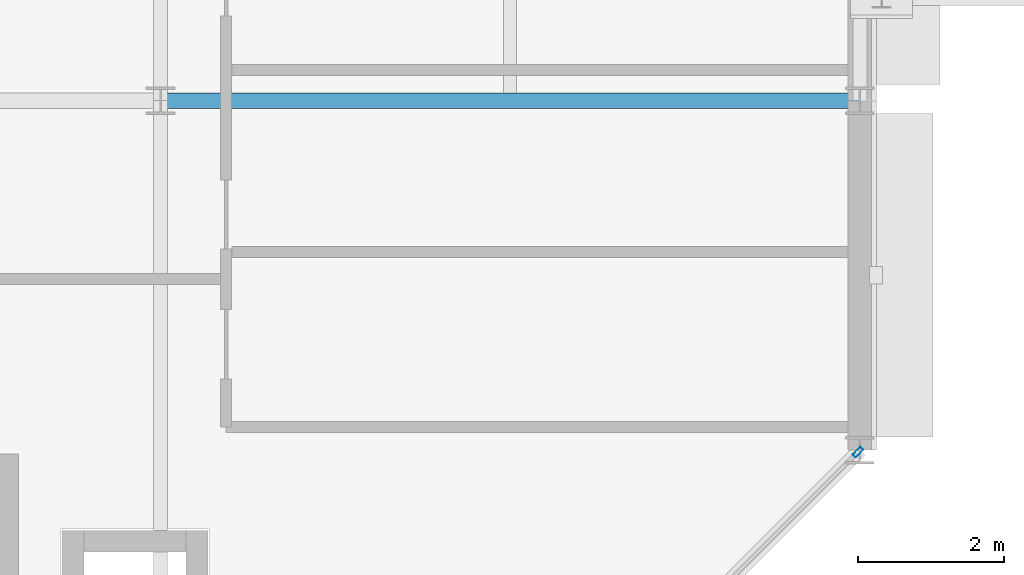
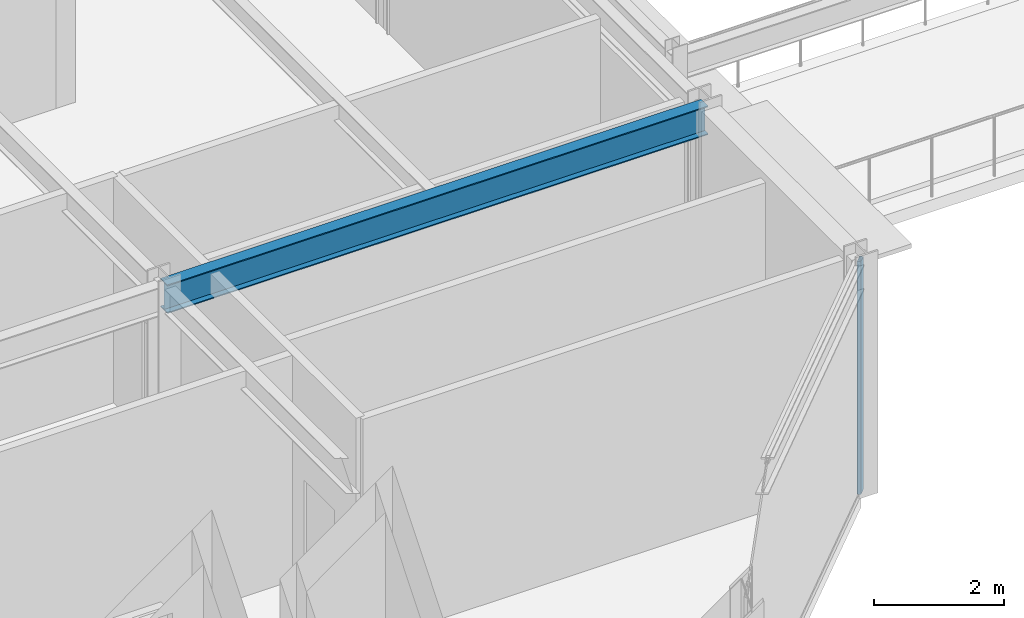
# One storey, part 56 of 157: 1 beam, 1 member, 1 element without a shape of its own.
"""IFC4 building model written with IfcOpenShell, lengths in metres."""

import ifcopenshell
import ifcopenshell.guid

model = None  # the IFC model being written
_history = None  # IfcOwnerHistory: only IFC2X3 demands one
_inside = {}  # id of a spatial element -> (the spatial element, [elements in it])
_under = {}  # id of a project, library or spatial element -> (it, [spatial elements below it])
_declared = {}  # id of a project -> (the project, [libraries it declares])
_typed = {}  # id of a type object -> (the type object, [elements of that type])
_made_of = {}  # id of a material, layer set ... -> (it, [elements and type objects made of it])


def new_model(schema):
    """Start an empty IFC model of exactly this schema.

    Asked for "IFC4X3", IfcOpenShell would pick the latest addendum, in which some entities
    have other attributes; the version numbers below select the first issue.
    IFC2X3 requires an IfcOwnerHistory on every rooted entity: one is made here for all.
    """
    global model, _history
    if schema == "IFC4X3":
        model = ifcopenshell.file(schema_version=(4, 3, 0, 0))
    else:
        model = ifcopenshell.file(schema=schema)
    _inside.clear()
    _under.clear()
    _declared.clear()
    _typed.clear()
    _made_of.clear()
    _history = None
    if model.schema == "IFC2X3":
        org = make("IfcOrganization", Name="unknown")
        user = make(
            "IfcPersonAndOrganization",
            ThePerson=make("IfcPerson", FamilyName="unknown"),
            TheOrganization=org,
        )
        app = make(
            "IfcApplication",
            ApplicationDeveloper=org,
            Version="unknown",
            ApplicationFullName="unknown",
            ApplicationIdentifier="unknown",
        )
        _history = make(
            "IfcOwnerHistory",
            OwningUser=user,
            OwningApplication=app,
            ChangeAction="ADDED",
            CreationDate=0,
        )
    return model


def make(cls, **values):
    """One entity of the class cls with the attributes given. An attribute that is None is left unset."""
    return model.create_entity(
        cls, **{name: value for name, value in values.items() if value is not None}
    )


def rooted(cls, **values):
    """An entity with a GlobalId (a new one), such as an element, a storey or a relation."""
    return make(cls, GlobalId=ifcopenshell.guid.new(), OwnerHistory=_history, **values)


def si_unit(unit_type, name, prefix=None):
    """IfcSIUnit, for example si_unit("LENGTHUNIT", "METRE", prefix="MILLI")."""
    return make("IfcSIUnit", UnitType=unit_type, Prefix=prefix, Name=name)


def assignment(units):
    """IfcUnitAssignment: the units of a project."""
    return None if units is None else make("IfcUnitAssignment", Units=units)


def point(xyz):
    """IfcCartesianPoint."""
    return None if xyz is None else make("IfcCartesianPoint", Coordinates=xyz)


def direction(xyz):
    """IfcDirection."""
    return None if xyz is None else make("IfcDirection", DirectionRatios=xyz)


def frame(location, z_axis=None, x_axis=None):
    """IfcAxis2Placement3D, a coordinate frame: its origin and axes. An axis left out is left unset."""
    return make(
        "IfcAxis2Placement3D",
        Location=point(location),
        Axis=direction(z_axis),
        RefDirection=direction(x_axis),
    )


def frame_2d(location, x_axis=None):
    """IfcAxis2Placement2D, a coordinate frame in the plane: its origin and x axis."""
    return make(
        "IfcAxis2Placement2D", Location=point(location), RefDirection=direction(x_axis)
    )


def origin():
    """The frame at (0, 0, 0) with its axes left unset."""
    return frame((0.0, 0.0, 0.0))


def origin_2d():
    """The frame at (0, 0) in the plane with its x axis left unset."""
    return frame_2d((0.0, 0.0))


def place(relative_to, where):
    """IfcLocalPlacement: puts the frame where relative to a parent placement (None: the world)."""
    return make(
        "IfcLocalPlacement", PlacementRelTo=relative_to, RelativePlacement=where
    )


def context(
    kind, dimensions, precision=None, world=None, true_north=None, identifier=None
):
    """IfcGeometricRepresentationContext, for example the 3D "Model" context."""
    return make(
        "IfcGeometricRepresentationContext",
        ContextIdentifier=identifier,
        ContextType=kind,
        CoordinateSpaceDimension=dimensions,
        Precision=precision,
        WorldCoordinateSystem=world,
        TrueNorth=true_north,
    )


def subcontext(parent, identifier, kind, view, scale=None):
    """IfcGeometricRepresentationSubContext, for example "Body" below "Model"."""
    return make(
        "IfcGeometricRepresentationSubContext",
        ContextIdentifier=identifier,
        ContextType=kind,
        ParentContext=parent,
        TargetScale=scale,
        TargetView=view,
    )


def project(units=None, contexts=None):
    """IfcProject with its units and contexts."""
    return rooted(
        "IfcProject",
        Name="project",
        RepresentationContexts=contexts,
        UnitsInContext=assignment(units),
    )


def spatial(cls, under=None, at=None, **own):
    """A site, building, storey or space (cls), placed at a placement, below another one or the project."""
    s = rooted(cls, ObjectPlacement=at, **own)
    if under is not None:
        _under.setdefault(under.id(), (under, []))[1].append(s)
    return s


def profile(cls, at=None, kind="AREA", **sizes):
    """A parametric profile (cls). Its sizes go by their IFC names, for example OverallWidth=200.0."""
    return make(cls, ProfileType=kind, Position=at, **sizes)


def hollow_rectangle(**sizes):
    """IfcRectangleHollowProfileDef."""
    return profile("IfcRectangleHollowProfileDef", **sizes)


def i_section(**sizes):
    """IfcIShapeProfileDef."""
    return profile("IfcIShapeProfileDef", **sizes)


def extrude(swept, where, along, depth):
    """IfcExtrudedAreaSolid: the profile swept, set in the frame where, extruded along a direction by depth."""
    return make(
        "IfcExtrudedAreaSolid",
        SweptArea=swept,
        Position=where,
        ExtrudedDirection=direction(along),
        Depth=depth,
    )


def shape(context_of_items, identifier, shape_type, items):
    """IfcShapeRepresentation: the items that make up one representation, for example the "Body"."""
    return make(
        "IfcShapeRepresentation",
        ContextOfItems=context_of_items,
        RepresentationIdentifier=identifier,
        RepresentationType=shape_type,
        Items=items,
    )


def material(Name=None, Category=None):
    """IfcMaterial."""
    return make("IfcMaterial", Name=Name, Category=Category)


def material_profile(
    of_material, cross_section, Name=None, Category=None, Priority=None
):
    """IfcMaterialProfile: a cross section and its material."""
    return make(
        "IfcMaterialProfile",
        Name=Name,
        Material=of_material,
        Profile=cross_section,
        Priority=Priority,
        Category=Category,
    )


def profile_set(profiles, Name=None, composite=None):
    """IfcMaterialProfileSet."""
    return make(
        "IfcMaterialProfileSet",
        Name=Name,
        MaterialProfiles=profiles,
        CompositeProfile=composite,
    )


def made_of(thing, what):
    """Note that an element or type object is made of a material, layer set ...; save() writes the relation."""
    if what is not None:
        _made_of.setdefault(what.id(), (what, []))[1].append(thing)
    return thing


def type_object(cls, material=None, **own):
    """A type object (cls), such as IfcWallType, which elements share."""
    return made_of(rooted(cls, **own), material)


def element(
    cls,
    number,
    at=None,
    inside=None,
    cuts=None,
    type_object=None,
    material=None,
    context=None,
    identifier="Body",
    shape_type=None,
    held_by="IfcProductDefinitionShape",
    body=None,
    shapes=None,
    **own,
):
    """One element of the class cls, such as IfcWall. Its Tag is "e" and its number.

    at: its placement. inside: the storey or other place that contains it. cuts: it is an
    opening in that element (IfcRelVoidsElement). A single representation is given by context,
    identifier, shape_type and body (its items); several are given by shapes. held_by: the class
    of the entity that holds the representations. save() writes the other relations.
    """
    e = rooted(cls, Tag="e%d" % number, ObjectPlacement=at, **own)
    if body is not None:
        shapes = [shape(context, identifier, shape_type, body)]
    if shapes is not None:
        e.Representation = make(held_by, Representations=shapes)
    if inside is not None:
        _inside.setdefault(inside.id(), (inside, []))[1].append(e)
    if cuts is not None:
        rooted(
            "IfcRelVoidsElement", RelatingBuildingElement=cuts, RelatedOpeningElement=e
        )
    if type_object is not None:
        _typed.setdefault(type_object.id(), (type_object, []))[1].append(e)
    return made_of(e, material)


def aggregate(whole, parts):
    """IfcRelAggregates: a whole, such as a stair, and the parts it consists of."""
    return rooted("IfcRelAggregates", RelatingObject=whole, RelatedObjects=parts)


def save(model, path):
    """Write the relations noted so far, then the file.

    IfcRelAggregates (storeys below a building ...), IfcRelContainedInSpatialStructure (elements
    in a storey), IfcRelDefinesByType, IfcRelAssociatesMaterial and IfcRelDeclares: one each for
    every whole, place, type object, material and project.
    """
    for whole, parts in _under.values():
        aggregate(whole, parts)
    for where, things in _inside.values():
        rooted(
            "IfcRelContainedInSpatialStructure",
            RelatedElements=things,
            RelatingStructure=where,
        )
    for kind, things in _typed.values():
        rooted("IfcRelDefinesByType", RelatedObjects=things, RelatingType=kind)
    for what, things in _made_of.values():
        rooted("IfcRelAssociatesMaterial", RelatedObjects=things, RelatingMaterial=what)
    for by, libraries in _declared.values():
        rooted("IfcRelDeclares", RelatingContext=by, RelatedDefinitions=libraries)
    model.write(path)


model = new_model("IFC4")

# Units and contexts
model_context = context("Model", 3, precision=1e-05, world=origin(), true_north=direction((0.0, 1.0)))
body_context = subcontext(model_context, "Body", "Model", "MODEL_VIEW")
ifc_project = project(units=[si_unit("LENGTHUNIT", "METRE"), si_unit("AREAUNIT", "SQUARE_METRE"), si_unit("VOLUMEUNIT", "CUBIC_METRE"), si_unit("PLANEANGLEUNIT", "RADIAN"), si_unit("MASSUNIT", "GRAM", prefix="KILO")], contexts=[model_context])

# Site, building, storey
site_placement = place(None, origin())
site = spatial("IfcSite", under=ifc_project, at=site_placement, CompositionType="ELEMENT")
building_placement = place(site_placement, origin())
building = spatial("IfcBuilding", under=site, at=building_placement, Name="Almandine Court Research Institute", CompositionType="ELEMENT")
storey_placement = place(building_placement, frame((0.0, 0.0, 5.25)))
storey = spatial("IfcBuildingStorey", under=building, at=storey_placement, Name="L01", CompositionType="ELEMENT", Elevation=5.25)

# Beam
ifc_material_1 = material(Name="Steel ASTM A992 Grade 50", Category="steel")
ifc_material_profile_1 = material_profile(ifc_material_1, i_section(OverallWidth=0.2109375, OverallDepth=0.5390625, WebThickness=0.011962890625, FlangeThickness=0.01904296875, at=origin_2d()), Name="W530x109")
ifc_profile_set_1 = profile_set([ifc_material_profile_1], Name="Steel ASTM A992 Grade 50")
beam_type = type_object("IfcBeamType", Name="Beam-G-04", PredefinedType="BEAM", material=ifc_profile_set_1)
beam_placement = place(storey_placement, frame((25.199951171875, 93.60009765625, 4.10009765625), z_axis=(1.0, 0.0, 0.0), x_axis=(0.0, 1.0, 0.0)))
element("IfcBeam", 1, at=beam_placement, inside=storey, type_object=beam_type, Name="L01 V3 Primary X Girder", PredefinedType="BEAM", context=body_context, shape_type="SweptSolid", body=[
    extrude(i_section(OverallWidth=0.2109375, OverallDepth=0.5390625, WebThickness=0.011962890625, FlangeThickness=0.01904296875, at=origin_2d()), origin(), (0.0, 0.0, 1.0), 9.60009765625),
])

# Curtain wall, member
ifc_material_2 = material(Name="Unitised Curtain Wall Framing and Solar Glazing", Category="glass")
curtain_wall_type = type_object("IfcCurtainWallType", Name="CW-CWG-05", PredefinedType="USERDEFINED", material=ifc_material_2)
curtain_wall_placement = place(storey_placement, origin())
curtain_wall = element("IfcCurtainWall", 2, at=curtain_wall_placement, inside=storey, type_object=curtain_wall_type, Name="L01 Cleanroom SE Chamfer Glazing", ObjectType="UNITISED GLAZING", PredefinedType="USERDEFINED")
ifc_material_3 = material(Name="Anodised Aluminium AW-6063-T6", Category="aluminium")
ifc_material_profile_2 = material_profile(ifc_material_3, hollow_rectangle(XDim=0.06005859375, YDim=0.14990234375, WallThickness=0.00390625, at=origin_2d()), Name="ALU RHS 60x150x4")
ifc_profile_set_2 = profile_set([ifc_material_profile_2], Name="Anodised Aluminium AW-6063-T6")
member_type = type_object("IfcMemberType", Name="CWMul-60x150", PredefinedType="MULLION", material=ifc_profile_set_2)
member_placement = place(storey_placement, frame((34.77490234375, 88.77490234375, 0.0), z_axis=(0.0, 0.0, 1.0), x_axis=(0.707106781187, -0.707106781187, 0.0)))
member = element("IfcMember", 3, at=member_placement, type_object=member_type, Name="CWG-05 mullion 1", PredefinedType="MULLION", context=body_context, shape_type="SweptSolid", body=[
    extrude(hollow_rectangle(XDim=0.06005859375, YDim=0.14990234375, WallThickness=0.00390625, at=origin_2d()), origin(), (0.0, 0.0, 1.0), 4.3701171875),
])
aggregate(curtain_wall, [member])

save(model, "model.ifc")
